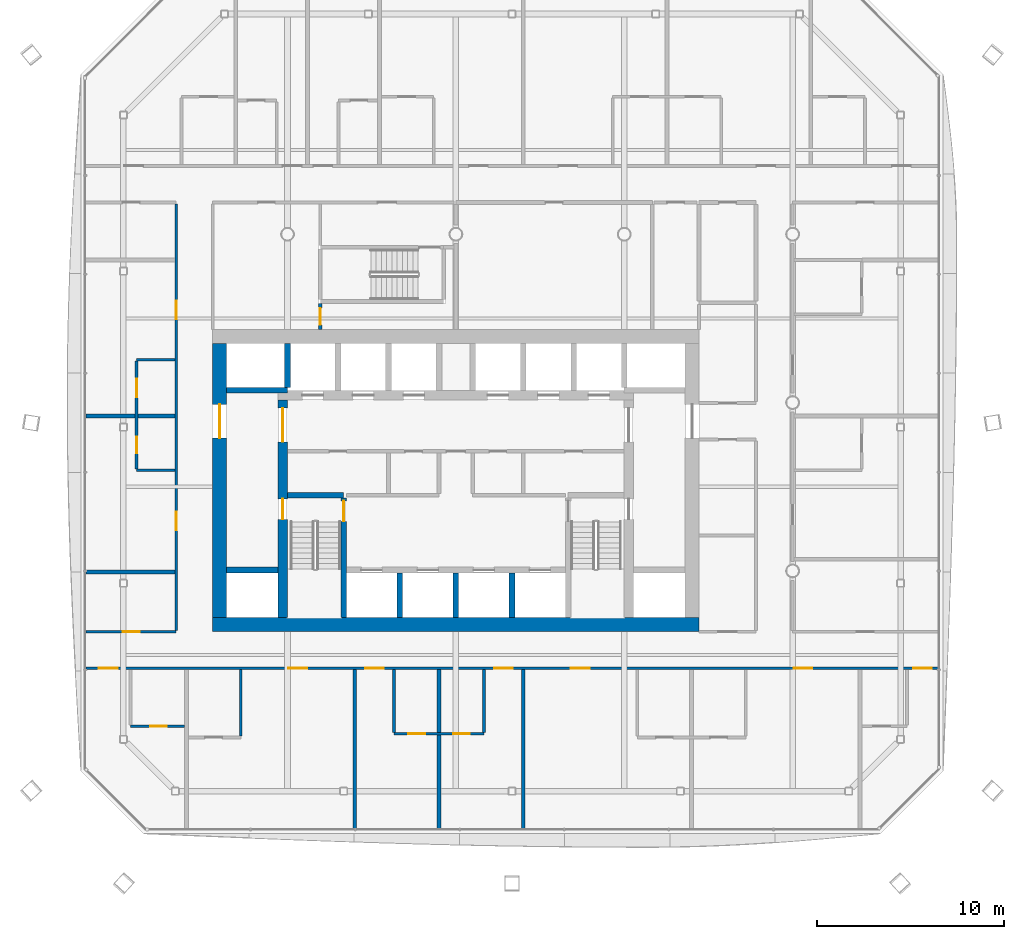
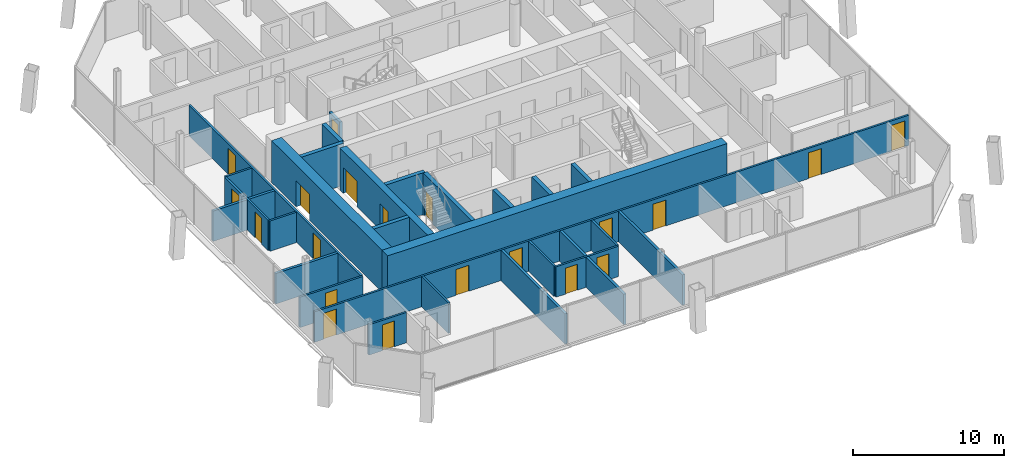
# One storey, part 12 of 21: 28 walls, 20 doors, 20 openings.
"""IFC4 building model written with IfcOpenShell, lengths in metres."""

from ifc_helpers import new_model, si_unit, direction, frame, frame_2d, origin, place, context, subcontext, project, spatial, rectangle, extrude, material, layer, layer_set, type_object, element, fill, save


model = new_model("IFC4")

# Units and contexts
model_context = context("Model", 3, precision=1e-05, world=origin(), true_north=direction((0.0, 1.0)))
body_context = subcontext(model_context, "Body", "Model", "MODEL_VIEW")
ifc_project = project(units=[si_unit("LENGTHUNIT", "METRE"), si_unit("AREAUNIT", "SQUARE_METRE"), si_unit("VOLUMEUNIT", "CUBIC_METRE"), si_unit("PLANEANGLEUNIT", "RADIAN"), si_unit("MASSUNIT", "GRAM", prefix="KILO")], contexts=[model_context])

# Site, building, storey
site_placement = place(None, origin())
site = spatial("IfcSite", under=ifc_project, at=site_placement, CompositionType="ELEMENT")
building_placement = place(site_placement, origin())
building = spatial("IfcBuilding", under=site, at=building_placement, Name="Tskaro Facet Tower", CompositionType="ELEMENT")
storey_placement = place(building_placement, frame((0.0, 0.0, 135.10009765625)))
storey = spatial("IfcBuildingStorey", under=building, at=storey_placement, Name="L32", CompositionType="ELEMENT", Elevation=135.10009765625)

# Walls
ifc_material_1 = material(Name="Concrete C60/75", Category="concrete")
ifc_layer_1 = layer(ifc_material_1, 0.300048828125, Name="Concrete C60/75")
ifc_layer_set_1 = layer_set([ifc_layer_1], Name="Concrete C60/75")
wall_type_1 = type_object("IfcWallType", Name="CORE-SHAFT", PredefinedType="SHEAR", material=ifc_layer_set_1)
wall_1_placement = place(storey_placement, frame((-12.25, -8.949951171875, 0.0), z_axis=(0.0, 0.0, 1.0), x_axis=(1.0, 0.0, 0.0)))
element("IfcWall", 1, at=wall_1_placement, inside=storey, type_object=wall_type_1, Name="Shaft wall W011", PredefinedType="SHEAR", context=body_context, shape_type="SweptSolid", body=[
    extrude(rectangle(XDim=2.75, YDim=0.300048828125, at=frame_2d((1.375, 0.0))), origin(), (0.0, 0.0, 1.0), 3.39990234375),
])
wall_2_placement = place(storey_placement, frame((-9.0, -4.949951171875, 0.0), z_axis=(0.0, 0.0, 1.0), x_axis=(1.0, 0.0, 0.0)))
element("IfcWall", 2, at=wall_2_placement, inside=storey, type_object=wall_type_1, Name="Shaft wall W016", PredefinedType="SHEAR", context=body_context, shape_type="SweptSolid", body=[
    extrude(rectangle(XDim=3.0, YDim=0.300048828125, at=frame_2d((1.5, 0.0))), origin(), (0.0, 0.0, 1.0), 3.39990234375),
])
wall_3_placement = place(storey_placement, frame((-9.0, 0.64990234375, 0.0), z_axis=(0.0, 0.0, 1.0), x_axis=(-1.0, 0.0, 0.0)))
element("IfcWall", 3, at=wall_3_placement, inside=storey, type_object=wall_type_1, Name="Shaft wall W027", PredefinedType="SHEAR", context=body_context, shape_type="SweptSolid", body=[
    extrude(rectangle(XDim=3.25, YDim=0.300048828125, at=frame_2d((1.625, 0.0))), origin(), (0.0, 0.0, 1.0), 3.39990234375),
])
wall_4_placement = place(storey_placement, frame((-9.0, 0.800048828125, 0.0), z_axis=(0.0, 0.0, 1.0), x_axis=(0.0, 1.0, 0.0)))
element("IfcWall", 4, at=wall_4_placement, inside=storey, type_object=wall_type_1, Name="Shaft wall W060", PredefinedType="SHEAR", context=body_context, shape_type="SweptSolid", body=[
    extrude(rectangle(XDim=2.349853515625, YDim=0.300048828125, at=frame_2d((1.1748046875, 0.0))), origin(), (0.0, 0.0, 1.0), 3.39990234375),
])

# Wall, opening, door
wall_5_placement = place(storey_placement, frame((-6.0, -11.5, 0.0), z_axis=(0.0, 0.0, 1.0), x_axis=(0.0, 1.0, 0.0)))
wall_5 = element("IfcWall", 5, at=wall_5_placement, inside=storey, type_object=wall_type_1, Name="Shaft wall W067", PredefinedType="SHEAR", context=body_context, shape_type="SweptSolid", body=[
    extrude(rectangle(XDim=6.39990234375, YDim=0.300048828125, at=frame_2d((3.199951171875, 0.0))), origin(), (0.0, 0.0, 1.0), 3.39990234375),
])
opening_1_placement = place(wall_5_placement, frame((5.14990234375, 0.0, 0.0)))
opening_1 = element("IfcOpeningElement", 6, at=opening_1_placement, cuts=wall_5, Name="Opening ST-1-D1", PredefinedType="OPENING", context=body_context, shape_type="SweptSolid", body=[
    extrude(rectangle(XDim=1.10009765625, YDim=2.10009765625, at=frame_2d((0.550048828125, 1.050048828125))), frame((0.0, 0.159912109375, 0.0), z_axis=(0.0, -1.0, 0.0), x_axis=(1.0, 0.0, 0.0)), (0.0, 0.0, 1.0), 0.320068359375),
])
ifc_material_2 = material(Name="Steel", Category="steel")
door_type_1 = type_object("IfcDoorType", Name="D-STAIR", OperationType="NOTDEFINED", PredefinedType="DOOR", material=ifc_material_2)
door_1_placement = place(opening_1_placement, origin())
door_1 = element("IfcDoor", 7, at=door_1_placement, inside=storey, type_object=door_type_1, Name="Stair door 1", OperationType="SINGLE_SWING_LEFT", OverallHeight=2.10009765625, OverallWidth=1.10009765625, PredefinedType="DOOR", context=body_context, shape_type="SweptSolid", body=[
    extrude(rectangle(XDim=1.10009765625, YDim=2.10009765625, at=frame_2d((0.550048828125, 1.050048828125))), frame((0.0, 0.02490234375, 0.0), z_axis=(0.0, -1.0, 0.0), x_axis=(1.0, 0.0, 0.0)), (0.0, 0.0, 1.0), 0.050048828125),
])
fill(opening_1, door_1)

# Walls
for number, where, z_axis, x_axis, name in (
    (8, (-3.0, -11.5, 0.0), (0.0, 0.0, 1.0), (0.0, 1.0, 0.0), "Shaft wall W073"),
    (9, (0.0, -11.5, 0.0), (0.0, 0.0, 1.0), (0.0, 1.0, 0.0), "Shaft wall W079"),
    (10, (3.0, -11.5, 0.0), (0.0, 0.0, 1.0), (0.0, 1.0, 0.0), "Shaft wall W085"),
):
    element("IfcWall", number, at=place(storey_placement, frame(where, z_axis=z_axis, x_axis=x_axis)), inside=storey, type_object=wall_type_1, Name=name, PredefinedType="SHEAR", context=body_context, shape_type="SweptSolid", body=[
        extrude(rectangle(XDim=2.39990234375, YDim=0.300048828125, at=frame_2d((1.199951171875, 0.0))), origin(), (0.0, 0.0, 1.0), 3.39990234375),
    ])

# Wall, openings, doors
ifc_material_3 = material(Name="Concrete C40/50", Category="concrete")
ifc_layer_2 = layer(ifc_material_3, 0.5, Name="Concrete C40/50")
ifc_layer_set_2 = layer_set([ifc_layer_2], Name="Concrete C40/50")
wall_type_2 = type_object("IfcWallType", Name="Core wall 500", PredefinedType="SHEAR", material=ifc_layer_set_2)
wall_6_placement = place(storey_placement, frame((-9.25, -11.5, 0.0), z_axis=(0.0, 0.0, 1.0), x_axis=(0.0, 1.0, 0.0)))
wall_6 = element("IfcWall", 11, at=wall_6_placement, inside=storey, type_object=wall_type_2, Name="Core wall CW-Z3W", PredefinedType="SHEAR", context=body_context, shape_type="SweptSolid", body=[
    extrude(rectangle(XDim=11.64990234375, YDim=0.5, at=frame_2d((5.824951171875, 0.0))), origin(), (0.0, 0.0, 1.0), 3.39990234375),
])
opening_2_placement = place(wall_6_placement, frame((9.39990234375, 0.0, 0.0)))
opening_2 = element("IfcOpeningElement", 12, at=opening_2_placement, cuts=wall_6, Name="Opening T9-D29", PredefinedType="OPENING", context=body_context, shape_type="SweptSolid", body=[
    extrude(rectangle(XDim=1.800048828125, YDim=2.10009765625, at=frame_2d((0.89990234375, 1.050048828125))), frame((0.0, 0.260009765625, 0.0), z_axis=(0.0, -1.0, 0.0), x_axis=(1.0, 0.0, 0.0)), (0.0, 0.0, 1.0), 0.52001953125),
])
opening_3_placement = place(wall_6_placement, frame((5.25, 0.0, 0.0)))
opening_3 = element("IfcOpeningElement", 13, at=opening_3_placement, cuts=wall_6, Name="Opening ST-1-D2", PredefinedType="OPENING", context=body_context, shape_type="SweptSolid", body=[
    extrude(rectangle(XDim=1.10009765625, YDim=2.10009765625, at=frame_2d((0.550048828125, 1.050048828125))), frame((0.0, 0.260009765625, 0.0), z_axis=(0.0, -1.0, 0.0), x_axis=(1.0, 0.0, 0.0)), (0.0, 0.0, 1.0), 0.52001953125),
])
door_type_2 = type_object("IfcDoorType", Name="D-CORE-PAIR", OperationType="NOTDEFINED", PredefinedType="DOOR", material=ifc_material_2)
door_2_placement = place(opening_2_placement, origin())
door_2 = element("IfcDoor", 14, at=door_2_placement, inside=storey, type_object=door_type_2, Name="Door T9-D29", OperationType="DOUBLE_DOOR_SINGLE_SWING", OverallHeight=2.10009765625, OverallWidth=1.800048828125, PredefinedType="DOOR", context=body_context, shape_type="SweptSolid", body=[
    extrude(rectangle(XDim=1.800048828125, YDim=2.10009765625, at=frame_2d((0.89990234375, 1.050048828125))), frame((0.0, 0.02490234375, 0.0), z_axis=(0.0, -1.0, 0.0), x_axis=(1.0, 0.0, 0.0)), (0.0, 0.0, 1.0), 0.050048828125),
])
fill(opening_2, door_2)
door_3_placement = place(opening_3_placement, origin())
door_3 = element("IfcDoor", 15, at=door_3_placement, inside=storey, type_object=door_type_1, Name="Stair door 1 west", OperationType="SINGLE_SWING_LEFT", OverallHeight=2.10009765625, OverallWidth=1.10009765625, PredefinedType="DOOR", context=body_context, shape_type="SweptSolid", body=[
    extrude(rectangle(XDim=1.10009765625, YDim=2.10009765625, at=frame_2d((0.550048828125, 1.050048828125))), frame((0.0, 0.02490234375, 0.0), z_axis=(0.0, -1.0, 0.0), x_axis=(1.0, 0.0, 0.0)), (0.0, 0.0, 1.0), 0.050048828125),
])
fill(opening_3, door_3)

# Wall
ifc_material_4 = material(Name="Concrete C50/60", Category="concrete")
ifc_layer_3 = layer(ifc_material_4, 0.75, Name="Concrete C50/60")
ifc_layer_set_3 = layer_set([ifc_layer_3], Name="Concrete C50/60")
wall_type_3 = type_object("IfcWallType", Name="Core wall 750", PredefinedType="SHEAR", material=ifc_layer_set_3)
wall_7_placement = place(storey_placement, frame((-13.0, -11.875, 0.0), z_axis=(0.0, 0.0, 1.0), x_axis=(1.0, 0.0, 0.0)))
element("IfcWall", 16, at=wall_7_placement, inside=storey, type_object=wall_type_3, Name="Core wall CW-Z2S", PredefinedType="SHEAR", context=body_context, shape_type="SweptSolid", body=[
    extrude(rectangle(XDim=26.0, YDim=0.75, at=frame_2d((13.0, 0.0))), origin(), (0.0, 0.0, 1.0), 3.39990234375),
])

# Wall, opening, door
wall_8_placement = place(storey_placement, frame((-12.625, -11.5, 0.0), z_axis=(0.0, 0.0, 1.0), x_axis=(0.0, 1.0, 0.0)))
wall_8 = element("IfcWall", 17, at=wall_8_placement, inside=storey, type_object=wall_type_3, Name="Core wall CW-Z2W", PredefinedType="SHEAR", context=body_context, shape_type="SweptSolid", body=[
    extrude(rectangle(XDim=14.64990234375, YDim=0.75, at=frame_2d((7.324951171875, 0.0))), origin(), (0.0, 0.0, 1.0), 3.39990234375),
])
opening_4_placement = place(wall_8_placement, frame((9.60009765625, 0.0, 0.0)))
opening_4 = element("IfcOpeningElement", 18, at=opening_4_placement, cuts=wall_8, Name="Opening T9-D31", PredefinedType="OPENING", context=body_context, shape_type="SweptSolid", body=[
    extrude(rectangle(XDim=1.800048828125, YDim=2.10009765625, at=frame_2d((0.89990234375, 1.050048828125))), frame((0.0, 0.385009765625, 0.0), z_axis=(0.0, -1.0, 0.0), x_axis=(1.0, 0.0, 0.0)), (0.0, 0.0, 1.0), 0.77001953125),
])
door_4_placement = place(opening_4_placement, origin())
door_4 = element("IfcDoor", 19, at=door_4_placement, inside=storey, type_object=door_type_2, Name="Door T9-D31", OperationType="DOUBLE_DOOR_SINGLE_SWING", OverallHeight=2.10009765625, OverallWidth=1.800048828125, PredefinedType="DOOR", context=body_context, shape_type="SweptSolid", body=[
    extrude(rectangle(XDim=1.800048828125, YDim=2.10009765625, at=frame_2d((0.89990234375, 1.050048828125))), frame((0.0, 0.02490234375, 0.0), z_axis=(0.0, -1.0, 0.0), x_axis=(1.0, 0.0, 0.0)), (0.0, 0.0, 1.0), 0.050048828125),
])
fill(opening_4, door_4)

# Wall, openings, doors
ifc_material_5 = material(Name="Gypsum board on steel studs", Category="steel")
ifc_layer_4 = layer(ifc_material_5, 0.14990234375, Name="Gypsum board on steel studs")
ifc_layer_set_4 = layer_set([ifc_layer_4], Name="Gypsum board on steel studs")
wall_type_4 = type_object("IfcWallType", Name="PART-CORR", PredefinedType="PARTITIONING", material=ifc_layer_set_4)
wall_9_placement = place(storey_placement, frame((-3.300048828125, -17.699951171875, 0.0), z_axis=(0.0, 0.0, 1.0), x_axis=(1.0, 0.0, 0.0)))
wall_9 = element("IfcWall", 20, at=wall_9_placement, inside=storey, type_object=wall_type_4, Name="Corridor wall W003", PredefinedType="PARTITIONING", context=body_context, shape_type="SweptSolid", body=[
    extrude(rectangle(XDim=4.800048828125, YDim=0.14990234375, at=frame_2d((2.39990234375, 0.0))), origin(), (0.0, 0.0, 1.0), 2.4599609375),
])
opening_5_placement = place(wall_9_placement, frame((0.75, 0.0, 0.0)))
opening_5 = element("IfcOpeningElement", 21, at=opening_5_placement, cuts=wall_9, Name="Opening T9-D04", PredefinedType="OPENING", context=body_context, shape_type="SweptSolid", body=[
    extrude(rectangle(XDim=0.89990234375, YDim=2.10009765625, at=frame_2d((0.449951171875, 1.050048828125))), frame((0.0, 0.0849609375, 0.0), z_axis=(0.0, -1.0, 0.0), x_axis=(1.0, 0.0, 0.0)), (0.0, 0.0, 1.0), 0.169921875),
])
opening_6_placement = place(wall_9_placement, frame((3.14990234375, 0.0, 0.0)))
opening_6 = element("IfcOpeningElement", 22, at=opening_6_placement, cuts=wall_9, Name="Opening T9-D05", PredefinedType="OPENING", context=body_context, shape_type="SweptSolid", body=[
    extrude(rectangle(XDim=0.89990234375, YDim=2.10009765625, at=frame_2d((0.449951171875, 1.050048828125))), frame((0.0, 0.0849609375, 0.0), z_axis=(0.0, -1.0, 0.0), x_axis=(1.0, 0.0, 0.0)), (0.0, 0.0, 1.0), 0.169921875),
])
ifc_material_6 = material(Name="Timber", Category="wood")
door_type_3 = type_object("IfcDoorType", Name="D-ROOM", OperationType="NOTDEFINED", PredefinedType="DOOR", material=ifc_material_6)
door_5_placement = place(opening_5_placement, origin())
door_5 = element("IfcDoor", 23, at=door_5_placement, inside=storey, type_object=door_type_3, Name="Door T9-D04", OperationType="SINGLE_SWING_LEFT", OverallHeight=2.10009765625, OverallWidth=0.89990234375, PredefinedType="DOOR", context=body_context, shape_type="SweptSolid", body=[
    extrude(rectangle(XDim=0.89990234375, YDim=2.10009765625, at=frame_2d((0.449951171875, 1.050048828125))), frame((0.0, 0.02490234375, 0.0), z_axis=(0.0, -1.0, 0.0), x_axis=(1.0, 0.0, 0.0)), (0.0, 0.0, 1.0), 0.050048828125),
])
fill(opening_5, door_5)
door_6_placement = place(opening_6_placement, origin())
door_6 = element("IfcDoor", 24, at=door_6_placement, inside=storey, type_object=door_type_3, Name="Door T9-D05", OperationType="SINGLE_SWING_LEFT", OverallHeight=2.10009765625, OverallWidth=0.89990234375, PredefinedType="DOOR", context=body_context, shape_type="SweptSolid", body=[
    extrude(rectangle(XDim=0.89990234375, YDim=2.10009765625, at=frame_2d((0.449951171875, 1.050048828125))), frame((0.0, 0.02490234375, 0.0), z_axis=(0.0, -1.0, 0.0), x_axis=(1.0, 0.0, 0.0)), (0.0, 0.0, 1.0), 0.050048828125),
])
fill(opening_6, door_6)

# Wall, opening, door
wall_10_placement = place(storey_placement, frame((-17.39892578125, -17.300048828125, 0.0), z_axis=(0.0, 0.0, 1.0), x_axis=(1.0, 0.0, 0.0)))
wall_10 = element("IfcWall", 25, at=wall_10_placement, inside=storey, type_object=wall_type_4, Name="Corridor wall W004", PredefinedType="PARTITIONING", context=body_context, shape_type="SweptSolid", body=[
    extrude(rectangle(XDim=2.89990234375, YDim=0.14990234375, at=frame_2d((1.449951171875, 0.0))), origin(), (0.0, 0.0, 1.0), 2.4599609375),
])
opening_7_placement = place(wall_10_placement, frame((1.050048828125, 0.0, 0.0)))
opening_7 = element("IfcOpeningElement", 26, at=opening_7_placement, cuts=wall_10, Name="Opening T9-D06", PredefinedType="OPENING", context=body_context, shape_type="SweptSolid", body=[
    extrude(rectangle(XDim=0.89990234375, YDim=2.10009765625, at=frame_2d((0.449951171875, 1.050048828125))), frame((0.0, 0.0849609375, 0.0), z_axis=(0.0, -1.0, 0.0), x_axis=(1.0, 0.0, 0.0)), (0.0, 0.0, 1.0), 0.169921875),
])
door_7_placement = place(opening_7_placement, origin())
door_7 = element("IfcDoor", 27, at=door_7_placement, inside=storey, type_object=door_type_3, Name="Door T9-D06", OperationType="SINGLE_SWING_LEFT", OverallHeight=2.10009765625, OverallWidth=0.89990234375, PredefinedType="DOOR", context=body_context, shape_type="SweptSolid", body=[
    extrude(rectangle(XDim=0.89990234375, YDim=2.10009765625, at=frame_2d((0.449951171875, 1.050048828125))), frame((0.0, 0.02490234375, 0.0), z_axis=(0.0, -1.0, 0.0), x_axis=(1.0, 0.0, 0.0)), (0.0, 0.0, 1.0), 0.050048828125),
])
fill(opening_7, door_7)

# Wall, openings, doors
wall_11_placement = place(storey_placement, frame((25.77001953125, -14.199951171875, 0.0), z_axis=(0.0, 0.0, 1.0), x_axis=(-1.0, 0.0, 0.0)))
wall_11 = element("IfcWall", 28, at=wall_11_placement, inside=storey, type_object=wall_type_4, Name="Corridor wall W006", PredefinedType="PARTITIONING", context=body_context, shape_type="SweptSolid", body=[
    extrude(rectangle(XDim=45.5400390625, YDim=0.14990234375, at=frame_2d((22.77001953125, 0.0))), origin(), (0.0, 0.0, 1.0), 2.4599609375),
])
opening_8_placement = place(wall_11_placement, frame((43.8544921875, 0.0, 0.0)))
opening_8 = element("IfcOpeningElement", 29, at=opening_8_placement, cuts=wall_11, Name="Opening T9-D08", PredefinedType="OPENING", context=body_context, shape_type="SweptSolid", body=[
    extrude(rectangle(XDim=1.0, YDim=2.10009765625, at=frame_2d((0.5, 1.050048828125))), frame((0.0, 0.0849609375, 0.0), z_axis=(0.0, -1.0, 0.0), x_axis=(1.0, 0.0, 0.0)), (0.0, 0.0, 1.0), 0.169921875),
])
opening_9_placement = place(wall_11_placement, frame((33.719482421875, 0.0, 0.0)))
opening_9 = element("IfcOpeningElement", 30, at=opening_9_placement, cuts=wall_11, Name="Opening T9-D09", PredefinedType="OPENING", context=body_context, shape_type="SweptSolid", body=[
    extrude(rectangle(XDim=1.0, YDim=2.10009765625, at=frame_2d((0.5, 1.050048828125))), frame((0.0, 0.0849609375, 0.0), z_axis=(0.0, -1.0, 0.0), x_axis=(1.0, 0.0, 0.0)), (0.0, 0.0, 1.0), 0.169921875),
])
opening_10_placement = place(wall_11_placement, frame((29.6201171875, 0.0, 0.0)))
opening_10 = element("IfcOpeningElement", 31, at=opening_10_placement, cuts=wall_11, Name="Opening T9-D10", PredefinedType="OPENING", context=body_context, shape_type="SweptSolid", body=[
    extrude(rectangle(XDim=1.0, YDim=2.10009765625, at=frame_2d((0.5, 1.050048828125))), frame((0.0, 0.0849609375, 0.0), z_axis=(0.0, -1.0, 0.0), x_axis=(1.0, 0.0, 0.0)), (0.0, 0.0, 1.0), 0.169921875),
])
opening_11_placement = place(wall_11_placement, frame((22.719970703125, 0.0, 0.0)))
opening_11 = element("IfcOpeningElement", 32, at=opening_11_placement, cuts=wall_11, Name="Opening T9-D11", PredefinedType="OPENING", context=body_context, shape_type="SweptSolid", body=[
    extrude(rectangle(XDim=1.0, YDim=2.10009765625, at=frame_2d((0.5, 1.050048828125))), frame((0.0, 0.0849609375, 0.0), z_axis=(0.0, -1.0, 0.0), x_axis=(1.0, 0.0, 0.0)), (0.0, 0.0, 1.0), 0.169921875),
])
opening_12_placement = place(wall_11_placement, frame((18.6201171875, 0.0, 0.0)))
opening_12 = element("IfcOpeningElement", 33, at=opening_12_placement, cuts=wall_11, Name="Opening T9-D12", PredefinedType="OPENING", context=body_context, shape_type="SweptSolid", body=[
    extrude(rectangle(XDim=1.0, YDim=2.10009765625, at=frame_2d((0.5, 1.050048828125))), frame((0.0, 0.0849609375, 0.0), z_axis=(0.0, -1.0, 0.0), x_axis=(1.0, 0.0, 0.0)), (0.0, 0.0, 1.0), 0.169921875),
])
opening_13_placement = place(wall_11_placement, frame((6.720458984375, 0.0, 0.0)))
opening_13 = element("IfcOpeningElement", 34, at=opening_13_placement, cuts=wall_11, Name="Opening T9-D13", PredefinedType="OPENING", context=body_context, shape_type="SweptSolid", body=[
    extrude(rectangle(XDim=1.0, YDim=2.10009765625, at=frame_2d((0.5, 1.050048828125))), frame((0.0, 0.0849609375, 0.0), z_axis=(0.0, -1.0, 0.0), x_axis=(1.0, 0.0, 0.0)), (0.0, 0.0, 1.0), 0.169921875),
])
opening_14_placement = place(wall_11_placement, frame((0.325439453125, 0.0, 0.0)))
opening_14 = element("IfcOpeningElement", 35, at=opening_14_placement, cuts=wall_11, Name="Opening T9-D14", PredefinedType="OPENING", context=body_context, shape_type="SweptSolid", body=[
    extrude(rectangle(XDim=1.0, YDim=2.10009765625, at=frame_2d((0.5, 1.050048828125))), frame((0.0, 0.0849609375, 0.0), z_axis=(0.0, -1.0, 0.0), x_axis=(1.0, 0.0, 0.0)), (0.0, 0.0, 1.0), 0.169921875),
])
door_type_4 = type_object("IfcDoorType", Name="D-ENTRY", OperationType="NOTDEFINED", PredefinedType="DOOR", material=ifc_material_6)
door_8_placement = place(opening_8_placement, origin())
door_8 = element("IfcDoor", 36, at=door_8_placement, inside=storey, type_object=door_type_4, Name="Door T9-D08", OperationType="SINGLE_SWING_LEFT", OverallHeight=2.10009765625, OverallWidth=1.0, PredefinedType="DOOR", context=body_context, shape_type="SweptSolid", body=[
    extrude(rectangle(XDim=1.0, YDim=2.10009765625, at=frame_2d((0.5, 1.050048828125))), frame((0.0, 0.02490234375, 0.0), z_axis=(0.0, -1.0, 0.0), x_axis=(1.0, 0.0, 0.0)), (0.0, 0.0, 1.0), 0.050048828125),
])
fill(opening_8, door_8)
door_9_placement = place(opening_9_placement, origin())
door_9 = element("IfcDoor", 37, at=door_9_placement, inside=storey, type_object=door_type_4, Name="Door T9-D09", OperationType="SINGLE_SWING_RIGHT", OverallHeight=2.10009765625, OverallWidth=1.0, PredefinedType="DOOR", context=body_context, shape_type="SweptSolid", body=[
    extrude(rectangle(XDim=1.0, YDim=2.10009765625, at=frame_2d((0.5, 1.050048828125))), frame((0.0, 0.02490234375, 0.0), z_axis=(0.0, -1.0, 0.0), x_axis=(1.0, 0.0, 0.0)), (0.0, 0.0, 1.0), 0.050048828125),
])
fill(opening_9, door_9)
door_10_placement = place(opening_10_placement, origin())
door_10 = element("IfcDoor", 38, at=door_10_placement, inside=storey, type_object=door_type_4, Name="Door T9-D10", OperationType="SINGLE_SWING_RIGHT", OverallHeight=2.10009765625, OverallWidth=1.0, PredefinedType="DOOR", context=body_context, shape_type="SweptSolid", body=[
    extrude(rectangle(XDim=1.0, YDim=2.10009765625, at=frame_2d((0.5, 1.050048828125))), frame((0.0, 0.02490234375, 0.0), z_axis=(0.0, -1.0, 0.0), x_axis=(1.0, 0.0, 0.0)), (0.0, 0.0, 1.0), 0.050048828125),
])
fill(opening_10, door_10)
door_11_placement = place(opening_11_placement, origin())
door_11 = element("IfcDoor", 39, at=door_11_placement, inside=storey, type_object=door_type_4, Name="Door T9-D11", OperationType="SINGLE_SWING_LEFT", OverallHeight=2.10009765625, OverallWidth=1.0, PredefinedType="DOOR", context=body_context, shape_type="SweptSolid", body=[
    extrude(rectangle(XDim=1.0, YDim=2.10009765625, at=frame_2d((0.5, 1.050048828125))), frame((0.0, 0.02490234375, 0.0), z_axis=(0.0, -1.0, 0.0), x_axis=(1.0, 0.0, 0.0)), (0.0, 0.0, 1.0), 0.050048828125),
])
fill(opening_11, door_11)
door_12_placement = place(opening_12_placement, origin())
door_12 = element("IfcDoor", 40, at=door_12_placement, inside=storey, type_object=door_type_4, Name="Door T9-D12", OperationType="SINGLE_SWING_LEFT", OverallHeight=2.10009765625, OverallWidth=1.0, PredefinedType="DOOR", context=body_context, shape_type="SweptSolid", body=[
    extrude(rectangle(XDim=1.0, YDim=2.10009765625, at=frame_2d((0.5, 1.050048828125))), frame((0.0, 0.02490234375, 0.0), z_axis=(0.0, -1.0, 0.0), x_axis=(1.0, 0.0, 0.0)), (0.0, 0.0, 1.0), 0.050048828125),
])
fill(opening_12, door_12)
door_13_placement = place(opening_13_placement, origin())
door_13 = element("IfcDoor", 41, at=door_13_placement, inside=storey, type_object=door_type_4, Name="Door T9-D13", OperationType="SINGLE_SWING_RIGHT", OverallHeight=2.10009765625, OverallWidth=1.0, PredefinedType="DOOR", context=body_context, shape_type="SweptSolid", body=[
    extrude(rectangle(XDim=1.0, YDim=2.10009765625, at=frame_2d((0.5, 1.050048828125))), frame((0.0, 0.02490234375, 0.0), z_axis=(0.0, -1.0, 0.0), x_axis=(1.0, 0.0, 0.0)), (0.0, 0.0, 1.0), 0.050048828125),
])
fill(opening_13, door_13)
door_14_placement = place(opening_14_placement, origin())
door_14 = element("IfcDoor", 42, at=door_14_placement, inside=storey, type_object=door_type_4, Name="Door T9-D14", OperationType="SINGLE_SWING_LEFT", OverallHeight=2.10009765625, OverallWidth=1.0, PredefinedType="DOOR", context=body_context, shape_type="SweptSolid", body=[
    extrude(rectangle(XDim=1.0, YDim=2.10009765625, at=frame_2d((0.5, 1.050048828125))), frame((0.0, 0.02490234375, 0.0), z_axis=(0.0, -1.0, 0.0), x_axis=(1.0, 0.0, 0.0)), (0.0, 0.0, 1.0), 0.050048828125),
])
fill(opening_14, door_14)

# Wall, opening, door
wall_12_placement = place(storey_placement, frame((-19.77001953125, -12.25, 0.0), z_axis=(0.0, 0.0, 1.0), x_axis=(1.0, 0.0, 0.0)))
wall_12 = element("IfcWall", 43, at=wall_12_placement, inside=storey, type_object=wall_type_4, Name="Corridor wall W007", PredefinedType="PARTITIONING", context=body_context, shape_type="SweptSolid", body=[
    extrude(rectangle(XDim=4.820068359375, YDim=0.14990234375, at=frame_2d((2.41015625, 0.0))), origin(), (0.0, 0.0, 1.0), 2.4599609375),
])
opening_15_placement = place(wall_12_placement, frame((1.9599609375, 0.0, 0.0)))
opening_15 = element("IfcOpeningElement", 44, at=opening_15_placement, cuts=wall_12, Name="Opening T9-D15", PredefinedType="OPENING", context=body_context, shape_type="SweptSolid", body=[
    extrude(rectangle(XDim=0.89990234375, YDim=2.10009765625, at=frame_2d((0.449951171875, 1.050048828125))), frame((0.0, 0.0849609375, 0.0), z_axis=(0.0, -1.0, 0.0), x_axis=(1.0, 0.0, 0.0)), (0.0, 0.0, 1.0), 0.169921875),
])
door_15_placement = place(opening_15_placement, origin())
door_15 = element("IfcDoor", 45, at=door_15_placement, inside=storey, type_object=door_type_3, Name="Door T9-D15", OperationType="SINGLE_SWING_LEFT", OverallHeight=2.10009765625, OverallWidth=0.89990234375, PredefinedType="DOOR", context=body_context, shape_type="SweptSolid", body=[
    extrude(rectangle(XDim=0.89990234375, YDim=2.10009765625, at=frame_2d((0.449951171875, 1.050048828125))), frame((0.0, 0.02490234375, 0.0), z_axis=(0.0, -1.0, 0.0), x_axis=(1.0, 0.0, 0.0)), (0.0, 0.0, 1.0), 0.050048828125),
])
fill(opening_15, door_15)

# Walls
for number, where, z_axis, x_axis, name in (
    (46, (-17.070068359375, -3.614990234375, 0.0), (0.0, 0.0, 1.0), (1.0, 0.0, 0.0), "Corridor wall W021"),
    (47, (-17.070068359375, 2.284912109375, 0.0), (0.0, 0.0, 1.0), (1.0, 0.0, 0.0), "Corridor wall W029"),
):
    element("IfcWall", number, at=place(storey_placement, frame(where, z_axis=z_axis, x_axis=x_axis)), inside=storey, type_object=wall_type_4, Name=name, PredefinedType="PARTITIONING", context=body_context, shape_type="SweptSolid", body=[
        extrude(rectangle(XDim=2.045166015625, YDim=0.14990234375, at=frame_2d((1.0224609375, 0.0))), origin(), (0.0, 0.0, 1.0), 2.4599609375),
    ])

# Wall, openings, doors
wall_13_placement = place(storey_placement, frame((-17.070068359375, 2.2099609375, 0.0), z_axis=(0.0, 0.0, 1.0), x_axis=(0.0, -1.0, 0.0)))
wall_13 = element("IfcWall", 48, at=wall_13_placement, inside=storey, type_object=wall_type_4, Name="Corridor wall W052", PredefinedType="PARTITIONING", context=body_context, shape_type="SweptSolid", body=[
    extrude(rectangle(XDim=5.75, YDim=0.14990234375, at=frame_2d((2.875, 0.0))), origin(), (0.0, 0.0, 1.0), 2.4599609375),
])
opening_16_placement = place(wall_13_placement, frame((4.02490234375, 0.0, 0.0)))
opening_16 = element("IfcOpeningElement", 49, at=opening_16_placement, cuts=wall_13, Name="Opening T9-D26", PredefinedType="OPENING", context=body_context, shape_type="SweptSolid", body=[
    extrude(rectangle(XDim=0.89990234375, YDim=2.10009765625, at=frame_2d((0.449951171875, 1.050048828125))), frame((0.0, 0.0849609375, 0.0), z_axis=(0.0, -1.0, 0.0), x_axis=(1.0, 0.0, 0.0)), (0.0, 0.0, 1.0), 0.169921875),
])
opening_17_placement = place(wall_13_placement, frame((0.925048828125, 0.0, 0.0)))
opening_17 = element("IfcOpeningElement", 50, at=opening_17_placement, cuts=wall_13, Name="Opening T9-D36", PredefinedType="OPENING", context=body_context, shape_type="SweptSolid", body=[
    extrude(rectangle(XDim=1.0, YDim=2.10009765625, at=frame_2d((0.5, 1.050048828125))), frame((0.0, 0.0849609375, 0.0), z_axis=(0.0, -1.0, 0.0), x_axis=(1.0, 0.0, 0.0)), (0.0, 0.0, 1.0), 0.169921875),
])
door_16_placement = place(opening_16_placement, origin())
door_16 = element("IfcDoor", 51, at=door_16_placement, inside=storey, type_object=door_type_3, Name="Door T9-D26", OperationType="SINGLE_SWING_RIGHT", OverallHeight=2.10009765625, OverallWidth=0.89990234375, PredefinedType="DOOR", context=body_context, shape_type="SweptSolid", body=[
    extrude(rectangle(XDim=0.89990234375, YDim=2.10009765625, at=frame_2d((0.449951171875, 1.050048828125))), frame((0.0, 0.02490234375, 0.0), z_axis=(0.0, -1.0, 0.0), x_axis=(1.0, 0.0, 0.0)), (0.0, 0.0, 1.0), 0.050048828125),
])
fill(opening_16, door_16)
door_type_5 = type_object("IfcDoorType", Name="D-ROOM-WIDE", OperationType="NOTDEFINED", PredefinedType="DOOR", material=ifc_material_6)
door_17_placement = place(opening_17_placement, origin())
door_17 = element("IfcDoor", 52, at=door_17_placement, inside=storey, type_object=door_type_5, Name="Door T9-D36", OperationType="SINGLE_SWING_RIGHT", OverallHeight=2.10009765625, OverallWidth=1.0, PredefinedType="DOOR", context=body_context, shape_type="SweptSolid", body=[
    extrude(rectangle(XDim=1.0, YDim=2.10009765625, at=frame_2d((0.5, 1.050048828125))), frame((0.0, 0.02490234375, 0.0), z_axis=(0.0, -1.0, 0.0), x_axis=(1.0, 0.0, 0.0)), (0.0, 0.0, 1.0), 0.050048828125),
])
fill(opening_17, door_17)

wall_14_placement = place(storey_placement, frame((-14.949951171875, -12.175048828125, 0.0), z_axis=(0.0, 0.0, 1.0), x_axis=(0.0, 1.0, 0.0)))
wall_14 = element("IfcWall", 53, at=wall_14_placement, inside=storey, type_object=wall_type_4, Name="Corridor wall W053", PredefinedType="PARTITIONING", context=body_context, shape_type="SweptSolid", body=[
    extrude(rectangle(XDim=22.800048828125, YDim=0.14990234375, at=frame_2d((11.39990234375, 0.0))), origin(), (0.0, 0.0, 1.0), 2.4599609375),
])
opening_18_placement = place(wall_14_placement, frame((5.339111328125, 0.0, 0.0)))
opening_18 = element("IfcOpeningElement", 54, at=opening_18_placement, cuts=wall_14, Name="Opening T9-D20", PredefinedType="OPENING", context=body_context, shape_type="SweptSolid", body=[
    extrude(rectangle(XDim=1.0, YDim=2.10009765625, at=frame_2d((0.5, 1.050048828125))), frame((0.0, 0.0849609375, 0.0), z_axis=(0.0, -1.0, 0.0), x_axis=(1.0, 0.0, 0.0)), (0.0, 0.0, 1.0), 0.169921875),
])
opening_19_placement = place(wall_14_placement, frame((16.630615234375, 0.0, 0.0)))
opening_19 = element("IfcOpeningElement", 55, at=opening_19_placement, cuts=wall_14, Name="Opening T9-D39", PredefinedType="OPENING", context=body_context, shape_type="SweptSolid", body=[
    extrude(rectangle(XDim=1.0, YDim=2.10009765625, at=frame_2d((0.5, 1.050048828125))), frame((0.0, 0.0849609375, 0.0), z_axis=(0.0, -1.0, 0.0), x_axis=(1.0, 0.0, 0.0)), (0.0, 0.0, 1.0), 0.169921875),
])
door_18_placement = place(opening_18_placement, origin())
door_18 = element("IfcDoor", 56, at=door_18_placement, inside=storey, type_object=door_type_4, Name="Door T9-D20", OperationType="SINGLE_SWING_RIGHT", OverallHeight=2.10009765625, OverallWidth=1.0, PredefinedType="DOOR", context=body_context, shape_type="SweptSolid", body=[
    extrude(rectangle(XDim=1.0, YDim=2.10009765625, at=frame_2d((0.5, 1.050048828125))), frame((0.0, 0.02490234375, 0.0), z_axis=(0.0, -1.0, 0.0), x_axis=(1.0, 0.0, 0.0)), (0.0, 0.0, 1.0), 0.050048828125),
])
fill(opening_18, door_18)
door_19_placement = place(opening_19_placement, origin())
door_19 = element("IfcDoor", 57, at=door_19_placement, inside=storey, type_object=door_type_4, Name="Door T9-D39", OperationType="SINGLE_SWING_LEFT", OverallHeight=2.10009765625, OverallWidth=1.0, PredefinedType="DOOR", context=body_context, shape_type="SweptSolid", body=[
    extrude(rectangle(XDim=1.0, YDim=2.10009765625, at=frame_2d((0.5, 1.050048828125))), frame((0.0, 0.02490234375, 0.0), z_axis=(0.0, -1.0, 0.0), x_axis=(1.0, 0.0, 0.0)), (0.0, 0.0, 1.0), 0.050048828125),
])
fill(opening_19, door_19)

# Walls
wall_15_placement = place(storey_placement, frame((-11.4990234375, -17.824951171875, 0.0), z_axis=(0.0, 0.0, 1.0), x_axis=(0.0, 1.0, 0.0)))
element("IfcWall", 58, at=wall_15_placement, inside=storey, type_object=wall_type_4, Name="Corridor wall W058", PredefinedType="PARTITIONING", context=body_context, shape_type="SweptSolid", body=[
    extrude(rectangle(XDim=3.550048828125, YDim=0.14990234375, at=frame_2d((1.77490234375, 0.0))), origin(), (0.0, 0.0, 1.0), 2.4599609375),
])
for number, where, z_axis, x_axis, name in (
    (59, (-3.300048828125, -17.625, 0.0), (0.0, 0.0, 1.0), (0.0, 1.0, 0.0), "Corridor wall W072"),
    (60, (1.5, -17.625, 0.0), (0.0, 0.0, 1.0), (0.0, 1.0, 0.0), "Corridor wall W084"),
):
    element("IfcWall", number, at=place(storey_placement, frame(where, z_axis=z_axis, x_axis=x_axis)), inside=storey, type_object=wall_type_4, Name=name, PredefinedType="PARTITIONING", context=body_context, shape_type="SweptSolid", body=[
        extrude(rectangle(XDim=3.35009765625, YDim=0.14990234375, at=frame_2d((1.675048828125, 0.0))), origin(), (0.0, 0.0, 1.0), 2.4599609375),
    ])
ifc_layer_5 = layer(ifc_material_5, 0.199951171875, Name="Gypsum board on steel studs")
ifc_layer_set_5 = layer_set([ifc_layer_5], Name="Gypsum board on steel studs")
wall_type_5 = type_object("IfcWallType", Name="PART-DEMISING", PredefinedType="PARTITIONING", material=ifc_layer_set_5)
for number, where, z_axis, x_axis, name in (
    (61, (-19.77001953125, -9.056884765625, 0.0), (0.0, 0.0, 1.0), (1.0, 0.0, 0.0), "Guest room wall W010"),
    (62, (-19.77001953125, -0.715087890625, 0.0), (0.0, 0.0, 1.0), (1.0, 0.0, 0.0), "Guest room wall W025"),
):
    element("IfcWall", number, at=place(storey_placement, frame(where, z_axis=z_axis, x_axis=x_axis)), inside=storey, type_object=wall_type_5, Name=name, PredefinedType="PARTITIONING", context=body_context, shape_type="SweptSolid", body=[
        extrude(rectangle(XDim=4.7451171875, YDim=0.199951171875, at=frame_2d((2.37255859375, 0.0))), origin(), (0.0, 0.0, 1.0), 2.4599609375),
    ])
for number, where, z_axis, x_axis, name in (
    (63, (-5.39990234375, -22.77001953125, 0.0), (0.0, 0.0, 1.0), (0.0, 1.0, 0.0), "Guest room wall W068"),
    (64, (-0.89990234375, -22.77001953125, 0.0), (0.0, 0.0, 1.0), (0.0, 1.0, 0.0), "Guest room wall W075"),
    (65, (3.60009765625, -22.77001953125, 0.0), (0.0, 0.0, 1.0), (0.0, 1.0, 0.0), "Guest room wall W086"),
):
    element("IfcWall", number, at=place(storey_placement, frame(where, z_axis=z_axis, x_axis=x_axis)), inside=storey, type_object=wall_type_5, Name=name, PredefinedType="PARTITIONING", context=body_context, shape_type="SweptSolid", body=[
        extrude(rectangle(XDim=8.4951171875, YDim=0.199951171875, at=frame_2d((4.24755859375, 0.0))), origin(), (0.0, 0.0, 1.0), 2.4599609375),
    ])

# Wall, opening, door
ifc_material_7 = material(Name="Concrete C20/25", Category="concrete")
ifc_layer_6 = layer(ifc_material_7, 0.199951171875, Name="Concrete C20/25")
ifc_layer_set_6 = layer_set([ifc_layer_6], Name="Concrete C20/25")
wall_type_6 = type_object("IfcWallType", Name="WALL-RISER", PredefinedType="SOLIDWALL", material=ifc_layer_set_6)
wall_16_placement = place(storey_placement, frame((-7.25, 5.300048828125, 0.0), z_axis=(0.0, 0.0, 1.0), x_axis=(0.0, -1.0, 0.0)))
wall_16 = element("IfcWall", 66, at=wall_16_placement, inside=storey, type_object=wall_type_6, Name="Riser room wall W062", PredefinedType="SOLIDWALL", context=body_context, shape_type="SweptSolid", body=[
    extrude(rectangle(XDim=1.400146484375, YDim=0.199951171875, at=frame_2d((0.7001953125, 0.0))), origin(), (0.0, 0.0, 1.0), 2.4599609375),
])
opening_20_placement = place(wall_16_placement, frame((0.25, 0.0, 0.0)))
opening_20 = element("IfcOpeningElement", 67, at=opening_20_placement, cuts=wall_16, Name="Opening T9-D38", PredefinedType="OPENING", context=body_context, shape_type="SweptSolid", body=[
    extrude(rectangle(XDim=0.89990234375, YDim=2.10009765625, at=frame_2d((0.449951171875, 1.050048828125))), frame((0.0, 0.10986328125, 0.0), z_axis=(0.0, -1.0, 0.0), x_axis=(1.0, 0.0, 0.0)), (0.0, 0.0, 1.0), 0.219970703125),
])
door_type_6 = type_object("IfcDoorType", Name="D-RISER", OperationType="NOTDEFINED", PredefinedType="DOOR", material=ifc_material_2)
door_20_placement = place(opening_20_placement, origin())
door_20 = element("IfcDoor", 68, at=door_20_placement, inside=storey, type_object=door_type_6, Name="Door T9-D38", OperationType="SINGLE_SWING_RIGHT", OverallHeight=2.10009765625, OverallWidth=0.89990234375, PredefinedType="DOOR", context=body_context, shape_type="SweptSolid", body=[
    extrude(rectangle(XDim=0.89990234375, YDim=2.10009765625, at=frame_2d((0.449951171875, 1.050048828125))), frame((0.0, 0.02490234375, 0.0), z_axis=(0.0, -1.0, 0.0), x_axis=(1.0, 0.0, 0.0)), (0.0, 0.0, 1.0), 0.050048828125),
])
fill(opening_20, door_20)

save(model, "model.ifc")
